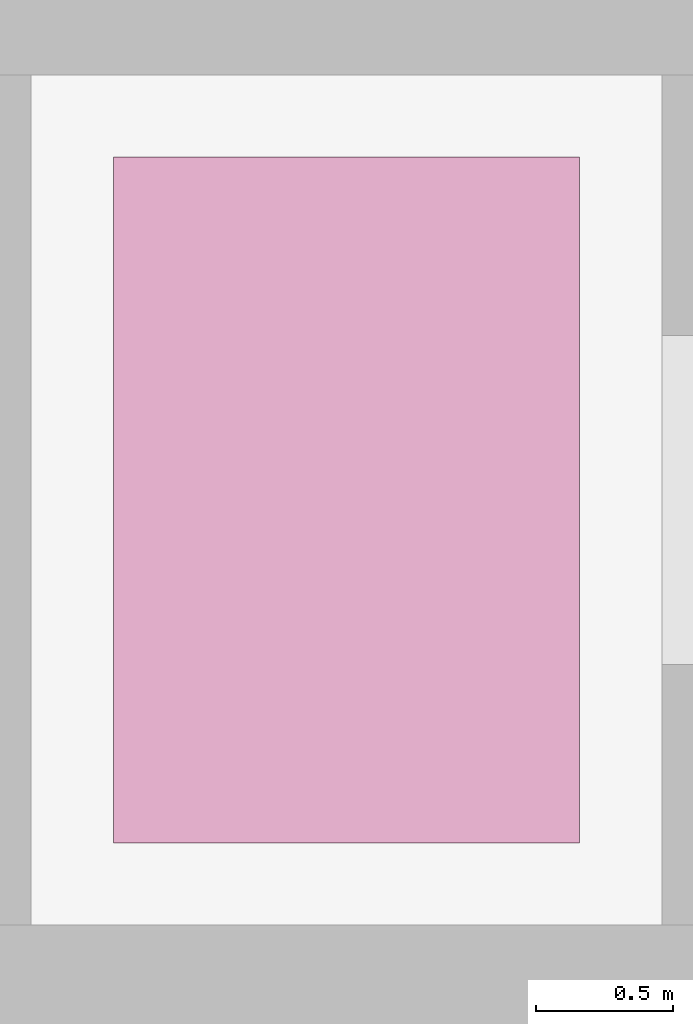
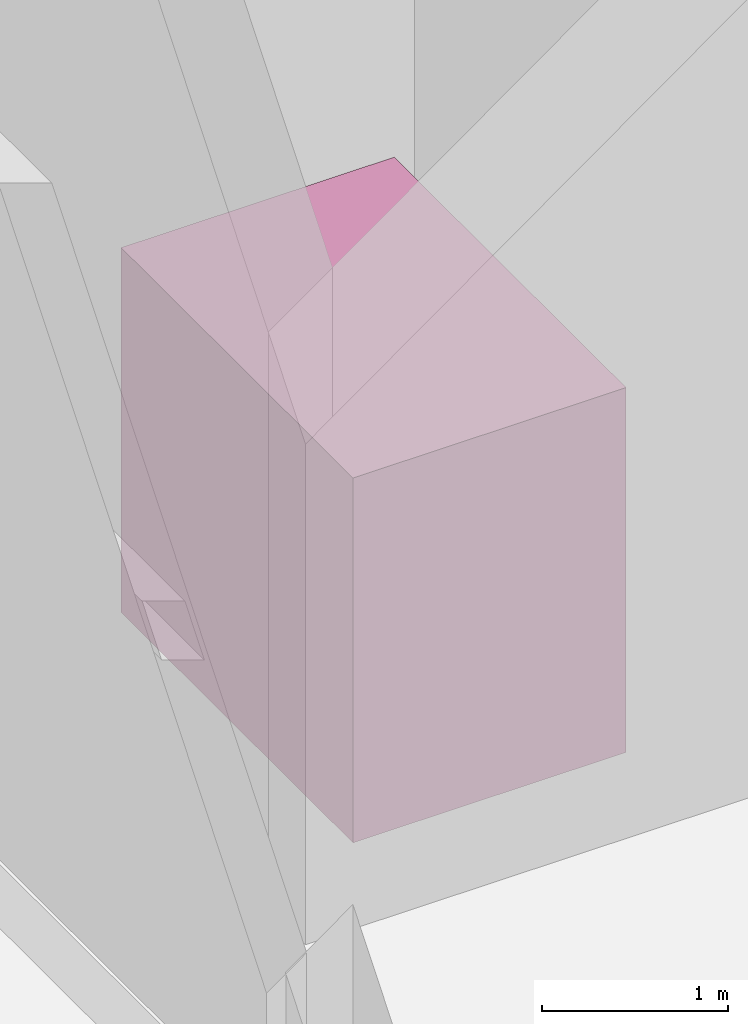
# One storey, part 88 of 88: 1 transport element.
"""IFC4 building model written with IfcOpenShell, lengths in metres."""

import ifcopenshell
import ifcopenshell.guid

model = None  # the IFC model being written
_history = None  # IfcOwnerHistory: only IFC2X3 demands one
_inside = {}  # id of a spatial element -> (the spatial element, [elements in it])
_under = {}  # id of a project, library or spatial element -> (it, [spatial elements below it])
_declared = {}  # id of a project -> (the project, [libraries it declares])
_typed = {}  # id of a type object -> (the type object, [elements of that type])
_made_of = {}  # id of a material, layer set ... -> (it, [elements and type objects made of it])


def new_model(schema):
    """Start an empty IFC model of exactly this schema.

    Asked for "IFC4X3", IfcOpenShell would pick the latest addendum, in which some entities
    have other attributes; the version numbers below select the first issue.
    IFC2X3 requires an IfcOwnerHistory on every rooted entity: one is made here for all.
    """
    global model, _history
    if schema == "IFC4X3":
        model = ifcopenshell.file(schema_version=(4, 3, 0, 0))
    else:
        model = ifcopenshell.file(schema=schema)
    _inside.clear()
    _under.clear()
    _declared.clear()
    _typed.clear()
    _made_of.clear()
    _history = None
    if model.schema == "IFC2X3":
        org = make("IfcOrganization", Name="unknown")
        user = make(
            "IfcPersonAndOrganization",
            ThePerson=make("IfcPerson", FamilyName="unknown"),
            TheOrganization=org,
        )
        app = make(
            "IfcApplication",
            ApplicationDeveloper=org,
            Version="unknown",
            ApplicationFullName="unknown",
            ApplicationIdentifier="unknown",
        )
        _history = make(
            "IfcOwnerHistory",
            OwningUser=user,
            OwningApplication=app,
            ChangeAction="ADDED",
            CreationDate=0,
        )
    return model


def make(cls, **values):
    """One entity of the class cls with the attributes given. An attribute that is None is left unset."""
    return model.create_entity(
        cls, **{name: value for name, value in values.items() if value is not None}
    )


def rooted(cls, **values):
    """An entity with a GlobalId (a new one), such as an element, a storey or a relation."""
    return make(cls, GlobalId=ifcopenshell.guid.new(), OwnerHistory=_history, **values)


def si_unit(unit_type, name, prefix=None):
    """IfcSIUnit, for example si_unit("LENGTHUNIT", "METRE", prefix="MILLI")."""
    return make("IfcSIUnit", UnitType=unit_type, Prefix=prefix, Name=name)


def assignment(units):
    """IfcUnitAssignment: the units of a project."""
    return None if units is None else make("IfcUnitAssignment", Units=units)


def point(xyz):
    """IfcCartesianPoint."""
    return None if xyz is None else make("IfcCartesianPoint", Coordinates=xyz)


def direction(xyz):
    """IfcDirection."""
    return None if xyz is None else make("IfcDirection", DirectionRatios=xyz)


def frame(location, z_axis=None, x_axis=None):
    """IfcAxis2Placement3D, a coordinate frame: its origin and axes. An axis left out is left unset."""
    return make(
        "IfcAxis2Placement3D",
        Location=point(location),
        Axis=direction(z_axis),
        RefDirection=direction(x_axis),
    )


def frame_2d(location, x_axis=None):
    """IfcAxis2Placement2D, a coordinate frame in the plane: its origin and x axis."""
    return make(
        "IfcAxis2Placement2D", Location=point(location), RefDirection=direction(x_axis)
    )


def origin():
    """The frame at (0, 0, 0) with its axes left unset."""
    return frame((0.0, 0.0, 0.0))


def origin_2d():
    """The frame at (0, 0) in the plane with its x axis left unset."""
    return frame_2d((0.0, 0.0))


def place(relative_to, where):
    """IfcLocalPlacement: puts the frame where relative to a parent placement (None: the world)."""
    return make(
        "IfcLocalPlacement", PlacementRelTo=relative_to, RelativePlacement=where
    )


def context(
    kind, dimensions, precision=None, world=None, true_north=None, identifier=None
):
    """IfcGeometricRepresentationContext, for example the 3D "Model" context."""
    return make(
        "IfcGeometricRepresentationContext",
        ContextIdentifier=identifier,
        ContextType=kind,
        CoordinateSpaceDimension=dimensions,
        Precision=precision,
        WorldCoordinateSystem=world,
        TrueNorth=true_north,
    )


def subcontext(parent, identifier, kind, view, scale=None):
    """IfcGeometricRepresentationSubContext, for example "Body" below "Model"."""
    return make(
        "IfcGeometricRepresentationSubContext",
        ContextIdentifier=identifier,
        ContextType=kind,
        ParentContext=parent,
        TargetScale=scale,
        TargetView=view,
    )


def project(units=None, contexts=None):
    """IfcProject with its units and contexts."""
    return rooted(
        "IfcProject",
        Name="project",
        RepresentationContexts=contexts,
        UnitsInContext=assignment(units),
    )


def spatial(cls, under=None, at=None, **own):
    """A site, building, storey or space (cls), placed at a placement, below another one or the project."""
    s = rooted(cls, ObjectPlacement=at, **own)
    if under is not None:
        _under.setdefault(under.id(), (under, []))[1].append(s)
    return s


def profile(cls, at=None, kind="AREA", **sizes):
    """A parametric profile (cls). Its sizes go by their IFC names, for example OverallWidth=200.0."""
    return make(cls, ProfileType=kind, Position=at, **sizes)


def rectangle(**sizes):
    """IfcRectangleProfileDef."""
    return profile("IfcRectangleProfileDef", **sizes)


def extrude(swept, where, along, depth):
    """IfcExtrudedAreaSolid: the profile swept, set in the frame where, extruded along a direction by depth."""
    return make(
        "IfcExtrudedAreaSolid",
        SweptArea=swept,
        Position=where,
        ExtrudedDirection=direction(along),
        Depth=depth,
    )


def shape(context_of_items, identifier, shape_type, items):
    """IfcShapeRepresentation: the items that make up one representation, for example the "Body"."""
    return make(
        "IfcShapeRepresentation",
        ContextOfItems=context_of_items,
        RepresentationIdentifier=identifier,
        RepresentationType=shape_type,
        Items=items,
    )


def material(Name=None, Category=None):
    """IfcMaterial."""
    return make("IfcMaterial", Name=Name, Category=Category)


def made_of(thing, what):
    """Note that an element or type object is made of a material, layer set ...; save() writes the relation."""
    if what is not None:
        _made_of.setdefault(what.id(), (what, []))[1].append(thing)
    return thing


def type_object(cls, material=None, **own):
    """A type object (cls), such as IfcWallType, which elements share."""
    return made_of(rooted(cls, **own), material)


def element(
    cls,
    number,
    at=None,
    inside=None,
    cuts=None,
    type_object=None,
    material=None,
    context=None,
    identifier="Body",
    shape_type=None,
    held_by="IfcProductDefinitionShape",
    body=None,
    shapes=None,
    **own,
):
    """One element of the class cls, such as IfcWall. Its Tag is "e" and its number.

    at: its placement. inside: the storey or other place that contains it. cuts: it is an
    opening in that element (IfcRelVoidsElement). A single representation is given by context,
    identifier, shape_type and body (its items); several are given by shapes. held_by: the class
    of the entity that holds the representations. save() writes the other relations.
    """
    e = rooted(cls, Tag="e%d" % number, ObjectPlacement=at, **own)
    if body is not None:
        shapes = [shape(context, identifier, shape_type, body)]
    if shapes is not None:
        e.Representation = make(held_by, Representations=shapes)
    if inside is not None:
        _inside.setdefault(inside.id(), (inside, []))[1].append(e)
    if cuts is not None:
        rooted(
            "IfcRelVoidsElement", RelatingBuildingElement=cuts, RelatedOpeningElement=e
        )
    if type_object is not None:
        _typed.setdefault(type_object.id(), (type_object, []))[1].append(e)
    return made_of(e, material)


def aggregate(whole, parts):
    """IfcRelAggregates: a whole, such as a stair, and the parts it consists of."""
    return rooted("IfcRelAggregates", RelatingObject=whole, RelatedObjects=parts)


def save(model, path):
    """Write the relations noted so far, then the file.

    IfcRelAggregates (storeys below a building ...), IfcRelContainedInSpatialStructure (elements
    in a storey), IfcRelDefinesByType, IfcRelAssociatesMaterial and IfcRelDeclares: one each for
    every whole, place, type object, material and project.
    """
    for whole, parts in _under.values():
        aggregate(whole, parts)
    for where, things in _inside.values():
        rooted(
            "IfcRelContainedInSpatialStructure",
            RelatedElements=things,
            RelatingStructure=where,
        )
    for kind, things in _typed.values():
        rooted("IfcRelDefinesByType", RelatedObjects=things, RelatingType=kind)
    for what, things in _made_of.values():
        rooted("IfcRelAssociatesMaterial", RelatedObjects=things, RelatingMaterial=what)
    for by, libraries in _declared.values():
        rooted("IfcRelDeclares", RelatingContext=by, RelatedDefinitions=libraries)
    model.write(path)


model = new_model("IFC4")

# Units and contexts
model_context = context("Model", 3, precision=1e-05, world=origin(), true_north=direction((0.0, 1.0)))
body_context = subcontext(model_context, "Body", "Model", "MODEL_VIEW")
ifc_project = project(units=[si_unit("LENGTHUNIT", "METRE"), si_unit("AREAUNIT", "SQUARE_METRE"), si_unit("VOLUMEUNIT", "CUBIC_METRE"), si_unit("PLANEANGLEUNIT", "RADIAN"), si_unit("MASSUNIT", "GRAM", prefix="KILO")], contexts=[model_context])

# Site, building, storey
site_placement = place(None, origin())
site = spatial("IfcSite", under=ifc_project, at=site_placement, CompositionType="ELEMENT")
building_placement = place(site_placement, origin())
building = spatial("IfcBuilding", under=site, at=building_placement, Name="Birchvale Park Specialist Clinic", CompositionType="ELEMENT")
storey_placement = place(building_placement, origin())
storey = spatial("IfcBuildingStorey", under=building, at=storey_placement, Name="L00", CompositionType="ELEMENT", Elevation=0.0)

# Transport element
ifc_material = material(Name="Brushed stainless steel elevator cab", Category="steel")
transport_element_type = type_object("IfcTransportElementType", Name="LFT-LP", PredefinedType="ELEVATOR", material=ifc_material)
transport_element_placement = place(storey_placement, frame((130.60009765625, 76.800048828125, 0.0), z_axis=(0.0, 0.0, 1.0), x_axis=(1.0, 0.0, 0.0)))
element("IfcTransportElement", 1, at=transport_element_placement, inside=storey, type_object=transport_element_type, Name="Elevator LP2 cab", PredefinedType="ELEVATOR", context=body_context, shape_type="SweptSolid", body=[
    extrude(rectangle(XDim=1.699951171875, YDim=2.5, at=origin_2d()), origin(), (0.0, 0.0, 1.0), 2.39990234375),
])

save(model, "model.ifc")
